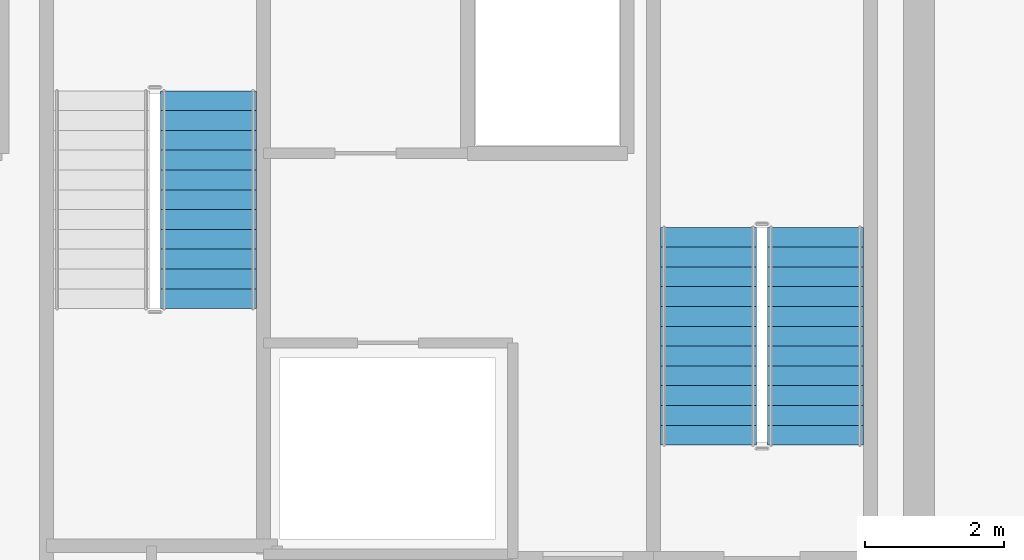
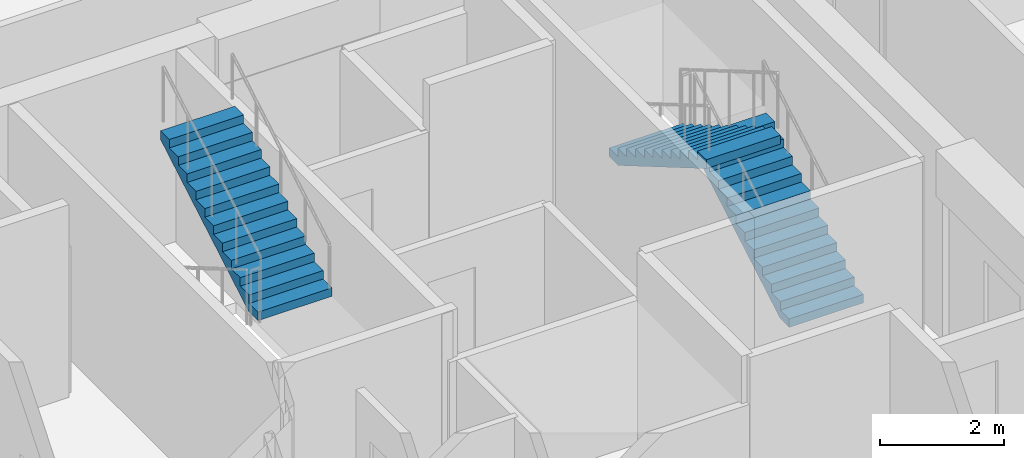
# One storey, part 17 of 21: 3 stair flights, 2 elements without a shape of their own.
"""IFC4 building model written with IfcOpenShell, lengths in metres."""

from ifc_helpers import new_model, si_unit, direction, frame, origin, place, context, subcontext, project, spatial, polyline, outline, extrude, material, type_object, element, aggregate, save


model = new_model("IFC4")

# Units and contexts
model_context = context("Model", 3, precision=1e-05, world=origin(), true_north=direction((0.0, 1.0)))
body_context = subcontext(model_context, "Body", "Model", "MODEL_VIEW")
ifc_project = project(units=[si_unit("LENGTHUNIT", "METRE"), si_unit("AREAUNIT", "SQUARE_METRE"), si_unit("VOLUMEUNIT", "CUBIC_METRE"), si_unit("PLANEANGLEUNIT", "RADIAN"), si_unit("MASSUNIT", "GRAM", prefix="KILO")], contexts=[model_context])

# Site, building, storey
site_placement = place(None, origin())
site = spatial("IfcSite", under=ifc_project, at=site_placement, CompositionType="ELEMENT")
building_placement = place(site_placement, origin())
building = spatial("IfcBuilding", under=site, at=building_placement, Name="Kovane Verandah Tower", CompositionType="ELEMENT")
storey_placement = place(building_placement, frame((0.0, 0.0, 275.199951171875)))
storey = spatial("IfcBuildingStorey", under=building, at=storey_placement, Name="L64", CompositionType="ELEMENT", Elevation=275.199951171875)

# Stair, stair flights
ifc_material = material(Name="Concrete C45/55", Category="concrete")
stair_type = type_object("IfcStairType", Name="ST-CORE-1380", PredefinedType="HALF_TURN_STAIR", material=ifc_material)
stair_1_placement = place(storey_placement, origin())
stair_1 = element("IfcStair", 1, at=stair_1_placement, inside=storey, type_object=stair_type, Name="L64 Exit Stair ST-02", PredefinedType="HALF_TURN_STAIR")
stair_flight_type = type_object("IfcStairFlightType", Name="STF-CORE-1380", PredefinedType="STRAIGHT", material=ifc_material)
stair_flight_1_placement = place(storey_placement, frame((49.510009765625, 29.25, 0.0), z_axis=(0.0, 0.0, 1.0), x_axis=(0.0, 1.0, 0.0)))
stair_flight_1 = element("IfcStairFlight", 2, at=stair_flight_1_placement, type_object=stair_flight_type, Name="ST-02 flight 1", NumberOfRisers=12, NumberOfTreads=11, PredefinedType="STRAIGHT", RiserHeight=0.166666667, TreadLength=0.285, context=body_context, shape_type="SweptSolid", body=[
    extrude(outline(polyline([(0.0, 0.0), (0.0, 0.166748046875), (0.284912109375, 0.166748046875), (0.284912109375, 0.333251953125), (0.570068359375, 0.333251953125), (0.570068359375, 0.5), (0.85498046875, 0.5), (0.85498046875, 0.666748046875), (1.139892578125, 0.666748046875), (1.139892578125, 0.833251953125), (1.425048828125, 0.833251953125), (1.425048828125, 1.0), (1.7099609375, 1.0), (1.7099609375, 1.166748046875), (1.9951171875, 1.166748046875), (1.9951171875, 1.333251953125), (2.280029296875, 1.333251953125), (2.280029296875, 1.5), (2.56494140625, 1.5), (2.56494140625, 1.666748046875), (2.85009765625, 1.666748046875), (2.85009765625, 1.833251953125), (3.135009765625, 1.833251953125), (3.135009765625, 2.0), (3.135009765625, 1.65966796875), (0.296875, 0.0), (0.0, 0.0)])), frame((0.0, 0.68994140625, 0.0), z_axis=(0.0, -1.0, 0.0), x_axis=(1.0, 0.0, 0.0)), (0.0, 0.0, 1.0), 1.3798828125),
])
stair_flight_2_placement = place(storey_placement, frame((47.969970703125, 32.385009765625, 2.0), z_axis=(0.0, 0.0, 1.0), x_axis=(0.0, -1.0, 0.0)))
stair_flight_2 = element("IfcStairFlight", 3, at=stair_flight_2_placement, type_object=stair_flight_type, Name="ST-02 flight 2", NumberOfRisers=12, NumberOfTreads=11, PredefinedType="STRAIGHT", RiserHeight=0.166666667, TreadLength=0.285, context=body_context, shape_type="SweptSolid", body=[
    extrude(outline(polyline([(0.0, 0.0), (0.0, 0.166748046875), (0.284912109375, 0.166748046875), (0.284912109375, 0.333251953125), (0.570068359375, 0.333251953125), (0.570068359375, 0.5), (0.85498046875, 0.5), (0.85498046875, 0.666748046875), (1.139892578125, 0.666748046875), (1.139892578125, 0.833251953125), (1.425048828125, 0.833251953125), (1.425048828125, 1.0), (1.7099609375, 1.0), (1.7099609375, 1.166748046875), (1.9951171875, 1.166748046875), (1.9951171875, 1.333251953125), (2.280029296875, 1.333251953125), (2.280029296875, 1.5), (2.56494140625, 1.5), (2.56494140625, 1.666748046875), (2.85009765625, 1.666748046875), (2.85009765625, 1.833251953125), (3.135009765625, 1.833251953125), (3.135009765625, 2.0), (3.135009765625, 1.65966796875), (0.296875, 0.0), (0.0, 0.0)])), frame((0.0, 0.68994140625, 0.0), z_axis=(0.0, -1.0, 0.0), x_axis=(1.0, 0.0, 0.0)), (0.0, 0.0, 1.0), 1.3798828125),
])
aggregate(stair_1, [stair_flight_1, stair_flight_2])

# Stair, stair flight
stair_2_placement = place(storey_placement, origin())
stair_2 = element("IfcStair", 4, at=stair_2_placement, inside=storey, type_object=stair_type, Name="L64 Exit Stair ST-03", PredefinedType="HALF_TURN_STAIR")
stair_flight_3_placement = place(storey_placement, frame((40.77001953125, 31.215087890625, 2.0), z_axis=(0.0, 0.0, 1.0), x_axis=(0.0, 1.0, 0.0)))
stair_flight_3 = element("IfcStairFlight", 5, at=stair_flight_3_placement, type_object=stair_flight_type, Name="ST-03 flight 2", NumberOfRisers=12, NumberOfTreads=11, PredefinedType="STRAIGHT", RiserHeight=0.166666667, TreadLength=0.285, context=body_context, shape_type="SweptSolid", body=[
    extrude(outline(polyline([(0.0, 0.0), (0.0, 0.166748046875), (0.284912109375, 0.166748046875), (0.284912109375, 0.333251953125), (0.570068359375, 0.333251953125), (0.570068359375, 0.5), (0.85498046875, 0.5), (0.85498046875, 0.666748046875), (1.139892578125, 0.666748046875), (1.139892578125, 0.833251953125), (1.425048828125, 0.833251953125), (1.425048828125, 1.0), (1.7099609375, 1.0), (1.7099609375, 1.166748046875), (1.9951171875, 1.166748046875), (1.9951171875, 1.333251953125), (2.280029296875, 1.333251953125), (2.280029296875, 1.5), (2.56494140625, 1.5), (2.56494140625, 1.666748046875), (2.85009765625, 1.666748046875), (2.85009765625, 1.833251953125), (3.135009765625, 1.833251953125), (3.135009765625, 2.0), (3.135009765625, 1.65966796875), (0.296875, 0.0), (0.0, 0.0)])), frame((0.0, 0.68994140625, 0.0), z_axis=(0.0, -1.0, 0.0), x_axis=(1.0, 0.0, 0.0)), (0.0, 0.0, 1.0), 1.3798828125),
])
aggregate(stair_2, [stair_flight_3])

save(model, "model.ifc")
